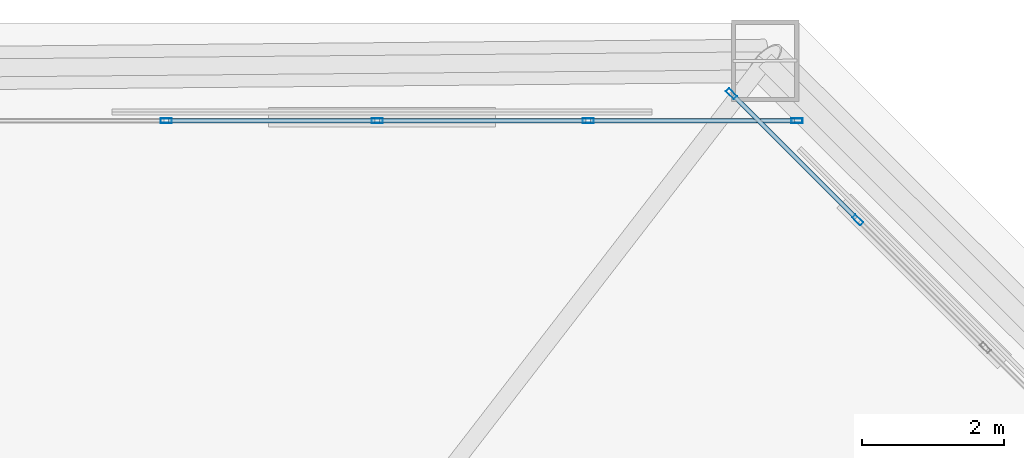
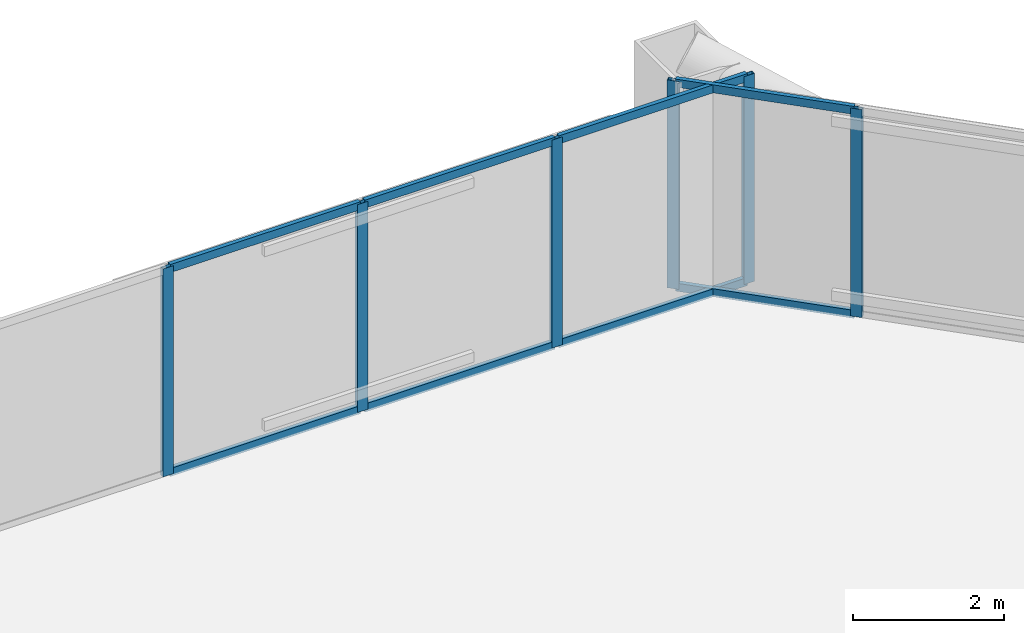
# One storey, part 40 of 50: 14 members, 2 elements without a shape of their own.
"""IFC4 building model written with IfcOpenShell, lengths in metres."""

from ifc_helpers import new_model, si_unit, direction, frame, origin, origin_2d, place, context, subcontext, project, spatial, hollow_rectangle, extrude, material, layer, layer_set, material_profile, profile_set, type_object, element, aggregate, save


model = new_model("IFC4")

# Units and contexts
model_context = context("Model", 3, precision=1e-05, world=origin(), true_north=direction((0.0, 1.0)))
body_context = subcontext(model_context, "Body", "Model", "MODEL_VIEW")
ifc_project = project(units=[si_unit("LENGTHUNIT", "METRE"), si_unit("AREAUNIT", "SQUARE_METRE"), si_unit("VOLUMEUNIT", "CUBIC_METRE"), si_unit("PLANEANGLEUNIT", "RADIAN"), si_unit("MASSUNIT", "GRAM", prefix="KILO")], contexts=[model_context])

# Site, building, storey
site_placement = place(None, origin())
site = spatial("IfcSite", under=ifc_project, at=site_placement, CompositionType="ELEMENT")
building_placement = place(site_placement, origin())
building = spatial("IfcBuilding", under=site, at=building_placement, Name="Caelvoria Tower", CompositionType="ELEMENT")
storey_placement = place(building_placement, frame((0.0, 0.0, 71.199951171875)))
storey = spatial("IfcBuildingStorey", under=building, at=storey_placement, Name="L18", CompositionType="ELEMENT", Elevation=71.199951171875)

# Curtain wall, members
ifc_material_1 = material(Name="Anodised Bronze Aluminium and Low-E Glass", Category="aluminium")
ifc_layer = layer(ifc_material_1, 0.18505859375, Name="Anodised Bronze Aluminium and Low-E Glass")
ifc_layer_set = layer_set([ifc_layer], Name="CW System 2 Lower Tower Bronze Unitised Facade - Anodised Bronze Aluminium and Low-E Glass")
curtain_wall_type = type_object("IfcCurtainWallType", Name="CW System 2 Lower Tower Bronze Unitised Facade", PredefinedType="NOTDEFINED", material=ifc_layer_set)
curtain_wall_1_placement = place(storey_placement, origin())
curtain_wall_1 = element("IfcCurtainWall", 1, at=curtain_wall_1_placement, inside=storey, type_object=curtain_wall_type, Name="CW-02 Curtain Wall L18-E3", PredefinedType="NOTDEFINED")
ifc_material_2 = material(Name="Anodised Bronze Architectural Aluminium", Category="aluminium")
ifc_material_profile_1 = material_profile(ifc_material_2, hollow_rectangle(XDim=0.06494140625, YDim=0.159912109375, WallThickness=0.00390625, at=origin_2d()), Name="Anodised Bronze Architectural Aluminium")
ifc_profile_set_1 = profile_set([ifc_material_profile_1], Name="CW_MULL_65X160 - Anodised Bronze Architectural Aluminium")
member_type_1 = type_object("IfcMemberType", Name="Curtain Wall Mullion 65x160 Bronze Aluminium", PredefinedType="MULLION", material=ifc_profile_set_1)
member_1_placement = place(storey_placement, frame((67.624267578125, 52.42431640625, 0.0), z_axis=(0.0, 0.0, 1.0), x_axis=(-0.707106781187, -0.707106781187, 0.0)))
member_1 = element("IfcMember", 2, at=member_1_placement, type_object=member_type_1, Name="CW-02 mullion 3", PredefinedType="MULLION", context=body_context, shape_type="SweptSolid", body=[
    extrude(hollow_rectangle(XDim=0.06494140625, YDim=0.159912109375, WallThickness=0.00390625, at=origin_2d()), origin(), (0.0, 0.0, 1.0), 3.360107421875),
])
member_2_placement = place(storey_placement, frame((65.84716796875, 54.201171875, 0.0), z_axis=(0.0, 0.0, 1.0), x_axis=(-0.707106781187, -0.707106781187, 0.0)))
member_2 = element("IfcMember", 3, at=member_2_placement, type_object=member_type_1, Name="CW-02 mullion 4", PredefinedType="MULLION", context=body_context, shape_type="SweptSolid", body=[
    extrude(hollow_rectangle(XDim=0.06494140625, YDim=0.159912109375, WallThickness=0.00390625, at=origin_2d()), origin(), (0.0, 0.0, 1.0), 3.360107421875),
])

curtain_wall_2_placement = place(storey_placement, origin())
curtain_wall_2 = element("IfcCurtainWall", 4, at=curtain_wall_2_placement, inside=storey, type_object=curtain_wall_type, Name="CW-02 Curtain Wall L18-E4", PredefinedType="NOTDEFINED")
member_3_placement = place(storey_placement, frame((66.767578125, 53.820068359375, 0.0), z_axis=(0.0, 0.0, 1.0), x_axis=(0.0, -1.0, 0.0)))
member_3 = element("IfcMember", 5, at=member_3_placement, type_object=member_type_1, Name="CW-02 mullion 1", PredefinedType="MULLION", context=body_context, shape_type="SweptSolid", body=[
    extrude(hollow_rectangle(XDim=0.06494140625, YDim=0.159912109375, WallThickness=0.00390625, at=origin_2d()), origin(), (0.0, 0.0, 1.0), 3.360107421875),
])
member_4_placement = place(storey_placement, frame((63.82861328125, 53.820068359375, 0.0), z_axis=(0.0, 0.0, 1.0), x_axis=(0.0, -1.0, 0.0)))
member_4 = element("IfcMember", 6, at=member_4_placement, type_object=member_type_1, Name="CW-02 mullion 2", PredefinedType="MULLION", context=body_context, shape_type="SweptSolid", body=[
    extrude(hollow_rectangle(XDim=0.06494140625, YDim=0.159912109375, WallThickness=0.00390625, at=origin_2d()), origin(), (0.0, 0.0, 1.0), 3.360107421875),
])
member_5_placement = place(storey_placement, frame((60.857177734375, 53.820068359375, 0.0), z_axis=(0.0, 0.0, 1.0), x_axis=(0.0, -1.0, 0.0)))
member_5 = element("IfcMember", 7, at=member_5_placement, type_object=member_type_1, Name="CW-02 mullion 3", PredefinedType="MULLION", context=body_context, shape_type="SweptSolid", body=[
    extrude(hollow_rectangle(XDim=0.06494140625, YDim=0.159912109375, WallThickness=0.00390625, at=origin_2d()), origin(), (0.0, 0.0, 1.0), 3.360107421875),
])
member_6_placement = place(storey_placement, frame((57.8857421875, 53.820068359375, 0.0), z_axis=(0.0, 0.0, 1.0), x_axis=(0.0, -1.0, 0.0)))
member_6 = element("IfcMember", 8, at=member_6_placement, type_object=member_type_1, Name="CW-02 mullion 4", PredefinedType="MULLION", context=body_context, shape_type="SweptSolid", body=[
    extrude(hollow_rectangle(XDim=0.06494140625, YDim=0.159912109375, WallThickness=0.00390625, at=origin_2d()), origin(), (0.0, 0.0, 1.0), 3.360107421875),
])

# Member
ifc_material_profile_2 = material_profile(ifc_material_2, hollow_rectangle(XDim=0.06494140625, YDim=0.1298828125, WallThickness=0.00341796875, at=origin_2d()), Name="Anodised Bronze Architectural Aluminium")
ifc_profile_set_2 = profile_set([ifc_material_profile_2], Name="CW_TRAN_65X130 - Anodised Bronze Architectural Aluminium")
member_type_2 = type_object("IfcMemberType", Name="Curtain Wall Transom 65x130 Bronze Aluminium", PredefinedType="USERDEFINED", material=ifc_profile_set_2)
member_7_placement = place(storey_placement, frame((67.601318359375, 52.447265625, 0.032470703125), z_axis=(-0.707156642399, 0.707056916458, 0.0), x_axis=(-0.707056916458, -0.707156642399, 0.0)))
member_7 = element("IfcMember", 9, at=member_7_placement, type_object=member_type_2, Name="CW-02 transom 3.1", ObjectType="TRANSOM", PredefinedType="USERDEFINED", context=body_context, shape_type="SweptSolid", body=[
    extrude(hollow_rectangle(XDim=0.06494140625, YDim=0.1298828125, WallThickness=0.00341796875, at=origin_2d()), origin(), (0.0, 0.0, 1.0), 2.447998046875),
])

member_8_placement = place(storey_placement, frame((67.601318359375, 52.447265625, 3.32763671875), z_axis=(-0.707156642399, 0.707056916458, 0.0), x_axis=(-0.707056916458, -0.707156642399, 0.0)))
member_8 = element("IfcMember", 10, at=member_8_placement, type_object=member_type_2, Name="CW-02 transom 3.2", ObjectType="TRANSOM", PredefinedType="USERDEFINED", context=body_context, shape_type="SweptSolid", body=[
    extrude(hollow_rectangle(XDim=0.06494140625, YDim=0.1298828125, WallThickness=0.00341796875, at=origin_2d()), origin(), (0.0, 0.0, 1.0), 2.447998046875),
])

aggregate(curtain_wall_1, [member_1, member_2, member_7, member_8])

member_9_placement = place(storey_placement, frame((66.735107421875, 53.820068359375, 0.032470703125), z_axis=(-1.0, 0.0, 0.0), x_axis=(0.0, -1.0, 0.0)))
member_9 = element("IfcMember", 11, at=member_9_placement, type_object=member_type_2, Name="CW-02 transom 1.1", ObjectType="TRANSOM", PredefinedType="USERDEFINED", context=body_context, shape_type="SweptSolid", body=[
    extrude(hollow_rectangle(XDim=0.06494140625, YDim=0.1298828125, WallThickness=0.00341796875, at=origin_2d()), origin(), (0.0, 0.0, 1.0), 2.8740234375),
])

member_10_placement = place(storey_placement, frame((66.735107421875, 53.820068359375, 3.32763671875), z_axis=(-1.0, 0.0, 0.0), x_axis=(0.0, -1.0, 0.0)))
member_10 = element("IfcMember", 12, at=member_10_placement, type_object=member_type_2, Name="CW-02 transom 1.2", ObjectType="TRANSOM", PredefinedType="USERDEFINED", context=body_context, shape_type="SweptSolid", body=[
    extrude(hollow_rectangle(XDim=0.06494140625, YDim=0.1298828125, WallThickness=0.00341796875, at=origin_2d()), origin(), (0.0, 0.0, 1.0), 2.8740234375),
])

member_11_placement = place(storey_placement, frame((63.796142578125, 53.820068359375, 0.032470703125), z_axis=(-1.0, 0.0, 0.0), x_axis=(0.0, -1.0, 0.0)))
member_11 = element("IfcMember", 13, at=member_11_placement, type_object=member_type_2, Name="CW-02 transom 2.1", ObjectType="TRANSOM", PredefinedType="USERDEFINED", context=body_context, shape_type="SweptSolid", body=[
    extrude(hollow_rectangle(XDim=0.06494140625, YDim=0.1298828125, WallThickness=0.00341796875, at=origin_2d()), origin(), (0.0, 0.0, 1.0), 2.906494140625),
])

member_12_placement = place(storey_placement, frame((63.796142578125, 53.820068359375, 3.32763671875), z_axis=(-1.0, 0.0, 0.0), x_axis=(0.0, -1.0, 0.0)))
member_12 = element("IfcMember", 14, at=member_12_placement, type_object=member_type_2, Name="CW-02 transom 2.2", ObjectType="TRANSOM", PredefinedType="USERDEFINED", context=body_context, shape_type="SweptSolid", body=[
    extrude(hollow_rectangle(XDim=0.06494140625, YDim=0.1298828125, WallThickness=0.00341796875, at=origin_2d()), origin(), (0.0, 0.0, 1.0), 2.906494140625),
])

member_13_placement = place(storey_placement, frame((60.82470703125, 53.820068359375, 0.032470703125), z_axis=(-1.0, 0.0, 0.0), x_axis=(0.0, -1.0, 0.0)))
member_13 = element("IfcMember", 15, at=member_13_placement, type_object=member_type_2, Name="CW-02 transom 3.1", ObjectType="TRANSOM", PredefinedType="USERDEFINED", context=body_context, shape_type="SweptSolid", body=[
    extrude(hollow_rectangle(XDim=0.06494140625, YDim=0.1298828125, WallThickness=0.00341796875, at=origin_2d()), origin(), (0.0, 0.0, 1.0), 2.906494140625),
])

member_14_placement = place(storey_placement, frame((60.82470703125, 53.820068359375, 3.32763671875), z_axis=(-1.0, 0.0, 0.0), x_axis=(0.0, -1.0, 0.0)))
member_14 = element("IfcMember", 16, at=member_14_placement, type_object=member_type_2, Name="CW-02 transom 3.2", ObjectType="TRANSOM", PredefinedType="USERDEFINED", context=body_context, shape_type="SweptSolid", body=[
    extrude(hollow_rectangle(XDim=0.06494140625, YDim=0.1298828125, WallThickness=0.00341796875, at=origin_2d()), origin(), (0.0, 0.0, 1.0), 2.906494140625),
])

aggregate(curtain_wall_2, [member_3, member_4, member_5, member_6, member_9, member_10, member_11, member_12, member_13, member_14])

save(model, "model.ifc")
